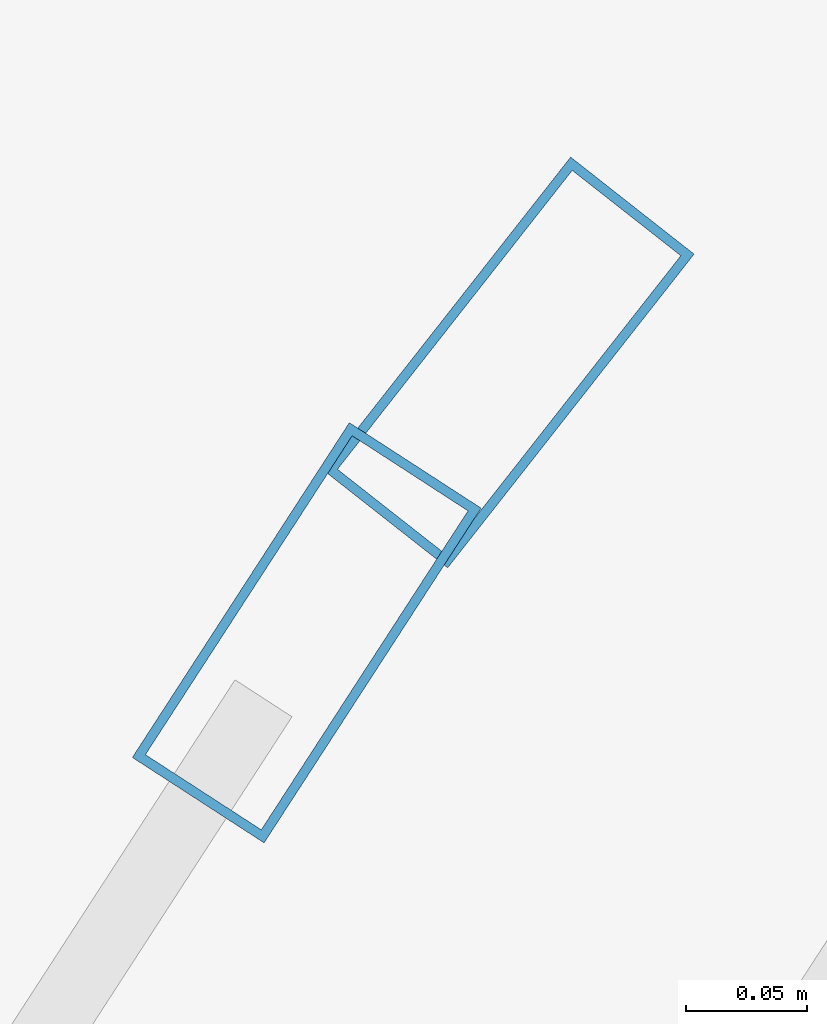
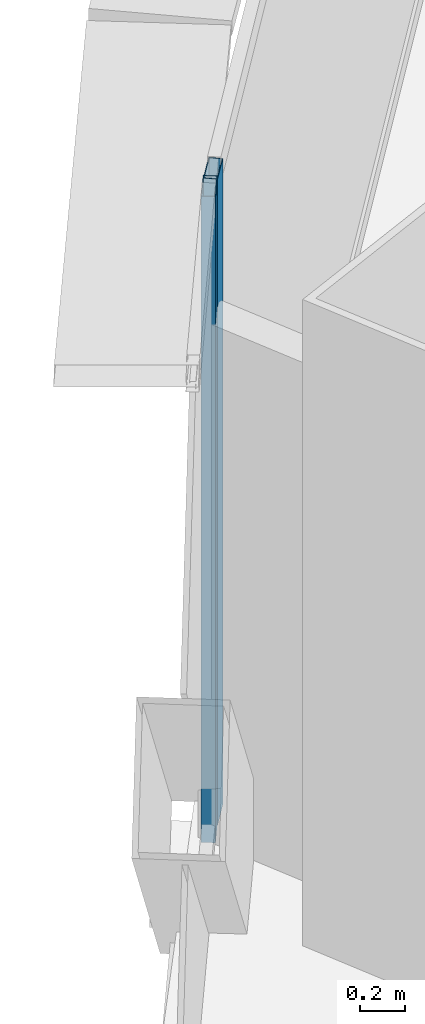
# One storey, part 18 of 41: 2 members, 2 elements without a shape of their own.
"""IFC4 building model written with IfcOpenShell, lengths in metres."""

from ifc_helpers import new_model, si_unit, direction, frame, origin, origin_2d, place, context, subcontext, project, spatial, hollow_rectangle, extrude, source, transform, mapped, material, layer, layer_set, material_profile, profile_set, type_object, element, aggregate, save


model = new_model("IFC4")

# Units and contexts
model_context = context("Model", 3, precision=1e-05, world=origin(), true_north=direction((0.0, 1.0)))
body_context = subcontext(model_context, "Body", "Model", "MODEL_VIEW")
ifc_project = project(units=[si_unit("LENGTHUNIT", "METRE"), si_unit("AREAUNIT", "SQUARE_METRE"), si_unit("VOLUMEUNIT", "CUBIC_METRE"), si_unit("PLANEANGLEUNIT", "RADIAN"), si_unit("MASSUNIT", "GRAM", prefix="KILO"), si_unit("THERMODYNAMICTEMPERATUREUNIT", "KELVIN"), si_unit("POWERUNIT", "WATT")], contexts=[model_context])

# Site, building, storey
site_placement = place(None, origin())
site = spatial("IfcSite", under=ifc_project, at=site_placement, CompositionType="ELEMENT")
building_placement = place(site_placement, origin())
building = spatial("IfcBuilding", under=site, at=building_placement, Name="Yunzhuo Pagoda Commons", CompositionType="ELEMENT")
storey_placement = place(building_placement, frame((0.0, 0.0, 111.580078125)))
storey = spatial("IfcBuildingStorey", under=building, at=storey_placement, Name="L28", CompositionType="ELEMENT", Elevation=111.580078125)

# Curtain wall, member
ifc_material = material(Name="Anodized aluminium 6063-T6", Category="aluminium")
ifc_layer = layer(ifc_material, 0.1650390625)
ifc_layer_set = layer_set([ifc_layer], Name="Anodized aluminium 6063-T6")
curtain_wall_type = type_object("IfcCurtainWallType", Name="CW-LOW Low-Zone Ribbon Curtain Wall", PredefinedType="NOTDEFINED", material=ifc_layer_set)
curtain_wall_1_placement = place(storey_placement, origin())
curtain_wall_1 = element("IfcCurtainWall", 1, at=curtain_wall_1_placement, inside=storey, type_object=curtain_wall_type, Name="L28 curtain wall CW-L28-F3B2", PredefinedType="NOTDEFINED")
ifc_material_profile = material_profile(ifc_material, hollow_rectangle(XDim=0.06494140625, YDim=0.1650390625, WallThickness=0.00390625, at=origin_2d()), Name="Anodized aluminium 6063-T6")
ifc_profile_set = profile_set([ifc_material_profile], Name="Anodized aluminium 6063-T6")
member_type = type_object("IfcMemberType", Name="CW-LOW-M Mullion RHS 165x65x4", PredefinedType="MULLION", material=ifc_profile_set)
shared_shape = source(origin(), body_context, "Body", "SweptSolid", [
    extrude(hollow_rectangle(XDim=0.06494140625, YDim=0.1650390625, WallThickness=0.00390625, at=origin_2d()), origin(), (0.0, 0.0, 1.0), 3.5400390625),
])
member_1_placement = place(storey_placement, frame((31.480224609375, 70.737548828125, 0.0), z_axis=(0.0, 0.0, 1.0), x_axis=(0.839105842503, -0.543968183884, 0.0)))
member_1 = element("IfcMember", 2, at=member_1_placement, type_object=member_type, Name="CW mullion 1", PredefinedType="MULLION", context=body_context, shape_type="MappedRepresentation", body=[
    mapped(shared_shape, transform((0.0, 0.0, 0.0), scale=1.0)),
])
aggregate(curtain_wall_1, [member_1])

curtain_wall_2_placement = place(storey_placement, origin())
curtain_wall_2 = element("IfcCurtainWall", 3, at=curtain_wall_2_placement, inside=storey, type_object=curtain_wall_type, Name="L28 curtain wall CW-L28-F3B1", PredefinedType="NOTDEFINED")
member_2_placement = place(storey_placement, frame((31.56396484375, 70.849365234375, 0.0), z_axis=(0.0, 0.0, 1.0), x_axis=(0.786392055703, -0.617727718925, 0.0)))
member_2 = element("IfcMember", 4, at=member_2_placement, type_object=member_type, Name="CW mullion 2", PredefinedType="MULLION", context=body_context, shape_type="MappedRepresentation", body=[
    mapped(shared_shape, transform((0.0, 0.0, 0.0), scale=1.0)),
])
aggregate(curtain_wall_2, [member_2])

save(model, "model.ifc")
